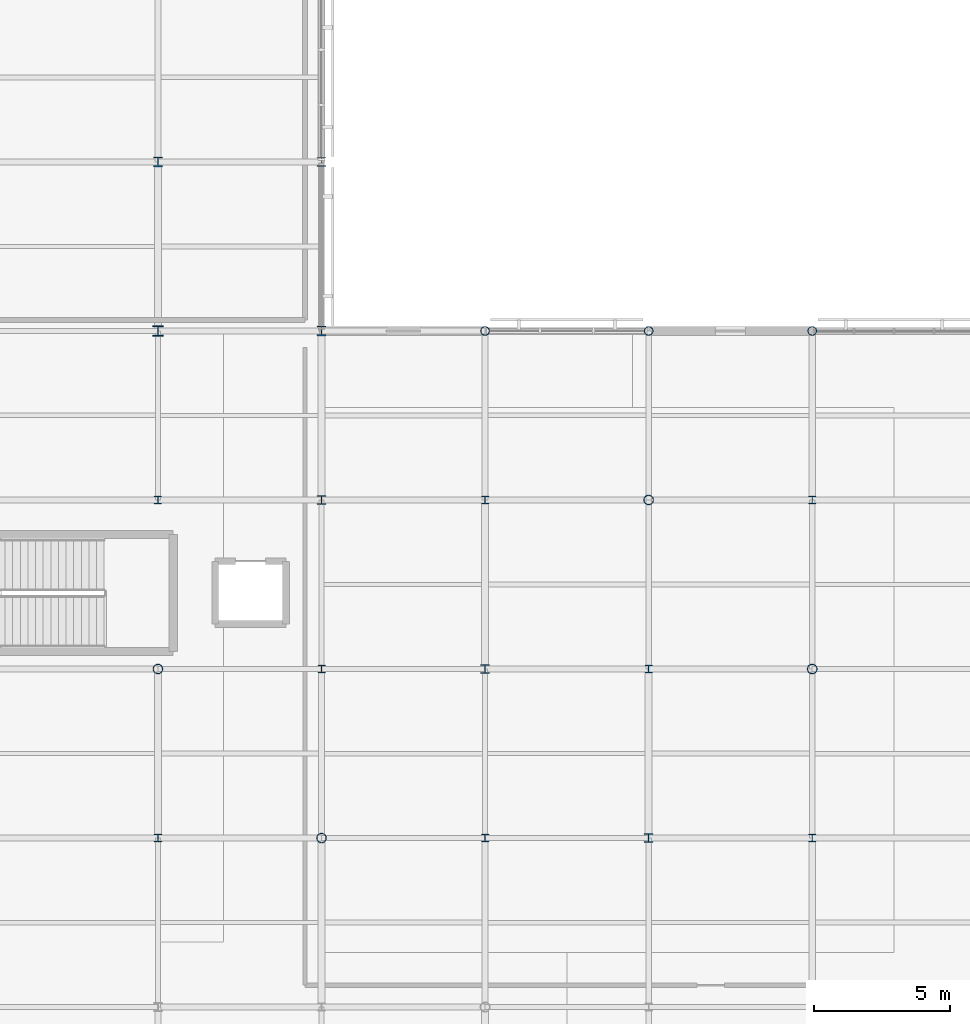
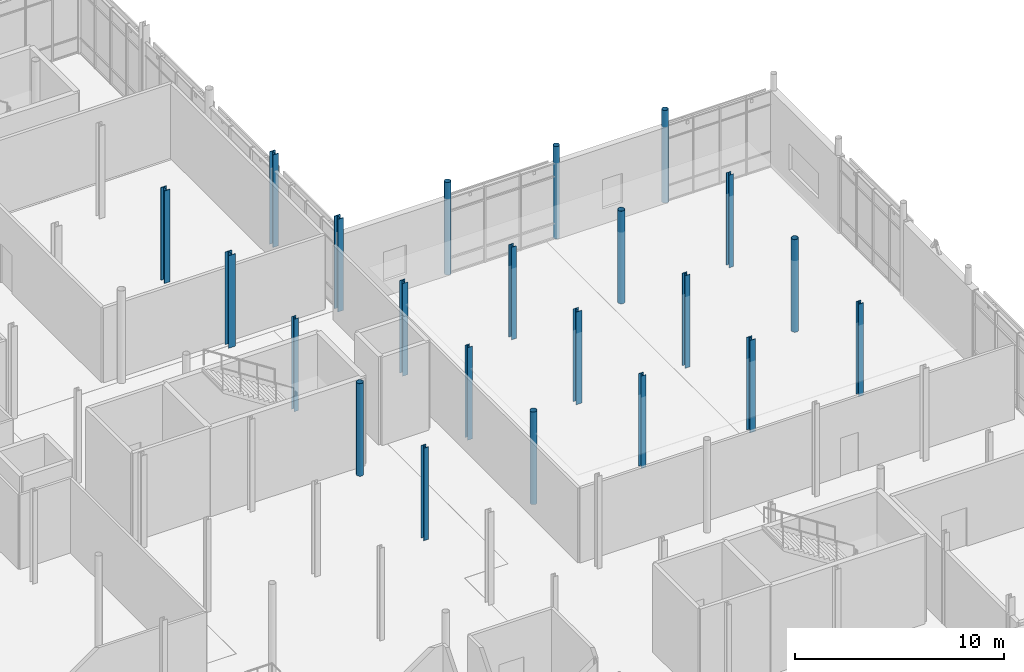
# One storey, part 16 of 105: 22 columns.
"""IFC4 building model written with IfcOpenShell, lengths in metres."""

from ifc_helpers import new_model, si_unit, direction, frame, origin, origin_2d, place, context, subcontext, project, spatial, hollow_circle, i_section, extrude, material, material_profile, profile_set, type_object, element, save


model = new_model("IFC4")

# Units and contexts
model_context = context("Model", 3, precision=1e-05, world=origin(), true_north=direction((0.0, 1.0)))
body_context = subcontext(model_context, "Body", "Model", "MODEL_VIEW")
ifc_project = project(units=[si_unit("LENGTHUNIT", "METRE"), si_unit("AREAUNIT", "SQUARE_METRE"), si_unit("VOLUMEUNIT", "CUBIC_METRE"), si_unit("PLANEANGLEUNIT", "RADIAN"), si_unit("MASSUNIT", "GRAM", prefix="KILO")], contexts=[model_context])

# Site, building, storey
site_placement = place(None, origin())
site = spatial("IfcSite", under=ifc_project, at=site_placement, CompositionType="ELEMENT")
building_placement = place(site_placement, origin())
building = spatial("IfcBuilding", under=site, at=building_placement, Name="Mirzam Square Science Centre", CompositionType="ELEMENT")
storey_placement = place(building_placement, frame((0.0, 0.0, 5.39990234375)))
storey = spatial("IfcBuildingStorey", under=building, at=storey_placement, Name="L01", CompositionType="ELEMENT", Elevation=5.39990234375)

# Columns
ifc_material = material(Name="Steel S355", Category="steel")
ifc_material_profile_1 = material_profile(ifc_material, hollow_circle(Radius=0.161865234375, WallThickness=0.012451171875, at=origin_2d()), Name="323.9x12.5CHS")
ifc_profile_set_1 = profile_set([ifc_material_profile_1], Name="Steel S355")
column_type_1 = type_object("IfcColumnType", Name="COL-CHS324", PredefinedType="COLUMN", material=ifc_profile_set_1)
for number, where, z_axis, x_axis, name in (
    (1, (144.0, 86.800048828125, 0.0), (0.0, 0.0, 1.0), (1.0, 0.0, 0.0), "L01 column G25-15"),
    (2, (150.0, 86.800048828125, 0.0), (0.0, 0.0, 1.0), (1.0, 0.0, 0.0), "L01 column G26-15"),
    (3, (156.0, 86.800048828125, 0.0), (0.0, 0.0, 1.0), (1.0, 0.0, 0.0), "L01 column G27-15"),
):
    element("IfcColumn", number, at=place(storey_placement, frame(where, z_axis=z_axis, x_axis=x_axis)), inside=storey, type_object=column_type_1, Name=name, PredefinedType="COLUMN", context=body_context, shape_type="SweptSolid", body=[
        extrude(hollow_circle(Radius=0.161865234375, WallThickness=0.012451171875, at=origin_2d()), origin(), (0.0, 0.0, 1.0), 5.400146484375),
    ])
ifc_material_profile_2 = material_profile(ifc_material, hollow_circle(Radius=0.177734375, WallThickness=0.012451171875, at=origin_2d()), Name="355.6x12.5CHS")
ifc_profile_set_2 = profile_set([ifc_material_profile_2], Name="Steel S355")
column_type_2 = type_object("IfcColumnType", Name="COL-CHS355", PredefinedType="COLUMN", material=ifc_profile_set_2)
for number, where, z_axis, x_axis, name in (
    (4, (132.0, 74.39990234375, 0.0), (0.0, 0.0, 1.0), (1.0, 0.0, 0.0), "L01 column G23-13"),
    (5, (138.0, 68.199951171875, 0.0), (0.0, 0.0, 1.0), (1.0, 0.0, 0.0), "L01 column G24-12"),
    (6, (150.0, 80.60009765625, 0.0), (0.0, 0.0, 1.0), (1.0, 0.0, 0.0), "L01 column G26-14"),
    (7, (156.0, 74.39990234375, 0.0), (0.0, 0.0, 1.0), (1.0, 0.0, 0.0), "L01 column G27-13"),
):
    element("IfcColumn", number, at=place(storey_placement, frame(where, z_axis=z_axis, x_axis=x_axis)), inside=storey, type_object=column_type_2, Name=name, PredefinedType="COLUMN", context=body_context, shape_type="SweptSolid", body=[
        extrude(hollow_circle(Radius=0.177734375, WallThickness=0.012451171875, at=origin_2d()), origin(), (0.0, 0.0, 1.0), 5.400146484375),
    ])
ifc_material_profile_3 = material_profile(ifc_material, i_section(OverallWidth=0.25634765625, OverallDepth=0.26025390625, WebThickness=0.01025390625, FlangeThickness=0.017333984375, FilletRadius=0.0126953125, at=origin_2d()), Name="254x254x89UC")
ifc_profile_set_3 = profile_set([ifc_material_profile_3], Name="Steel S355")
column_type_3 = type_object("IfcColumnType", Name="COL-UC254A", PredefinedType="COLUMN", material=ifc_profile_set_3)
for number, where, z_axis, x_axis, name in (
    (8, (132.0, 80.60009765625, 0.0), (0.0, 0.0, 1.0), (1.0, 0.0, 0.0), "L01 column G23-14"),
    (9, (138.0, 74.39990234375, 0.0), (0.0, 0.0, 1.0), (1.0, 0.0, 0.0), "L01 column G24-13"),
    (10, (144.0, 68.199951171875, 0.0), (0.0, 0.0, 1.0), (1.0, 0.0, 0.0), "L01 column G25-12"),
    (11, (156.0, 80.60009765625, 0.0), (0.0, 0.0, 1.0), (1.0, 0.0, 0.0), "L01 column G27-14"),
):
    element("IfcColumn", number, at=place(storey_placement, frame(where, z_axis=z_axis, x_axis=x_axis)), inside=storey, type_object=column_type_3, Name=name, PredefinedType="COLUMN", context=body_context, shape_type="SweptSolid", body=[
        extrude(i_section(OverallWidth=0.25634765625, OverallDepth=0.26025390625, WebThickness=0.01025390625, FlangeThickness=0.017333984375, FilletRadius=0.0126953125, at=origin_2d()), origin(), (0.0, 0.0, 1.0), 5.400146484375),
    ])
ifc_material_profile_4 = material_profile(ifc_material, i_section(OverallWidth=0.26123046875, OverallDepth=0.2763671875, WebThickness=0.015380859375, FlangeThickness=0.025390625, FilletRadius=0.0126953125, at=origin_2d()), Name="254x254x132UC")
ifc_profile_set_4 = profile_set([ifc_material_profile_4], Name="Steel S355")
column_type_4 = type_object("IfcColumnType", Name="COL-UC254B", PredefinedType="COLUMN", material=ifc_profile_set_4)
for number, where, z_axis, x_axis, name in (
    (12, (132.0, 68.199951171875, 0.0), (0.0, 0.0, 1.0), (1.0, 0.0, 0.0), "L01 column G23-12"),
    (13, (144.0, 80.60009765625, 0.0), (0.0, 0.0, 1.0), (1.0, 0.0, 0.0), "L01 column G25-14"),
    (14, (150.0, 74.39990234375, 0.0), (0.0, 0.0, 1.0), (1.0, 0.0, 0.0), "L01 column G26-13"),
    (15, (156.0, 68.199951171875, 0.0), (0.0, 0.0, 1.0), (1.0, 0.0, 0.0), "L01 column G27-12"),
):
    element("IfcColumn", number, at=place(storey_placement, frame(where, z_axis=z_axis, x_axis=x_axis)), inside=storey, type_object=column_type_4, Name=name, PredefinedType="COLUMN", context=body_context, shape_type="SweptSolid", body=[
        extrude(i_section(OverallWidth=0.26123046875, OverallDepth=0.2763671875, WebThickness=0.015380859375, FlangeThickness=0.025390625, FilletRadius=0.0126953125, at=origin_2d()), origin(), (0.0, 0.0, 1.0), 5.400146484375),
    ])
ifc_material_profile_5 = material_profile(ifc_material, i_section(OverallWidth=0.30908203125, OverallDepth=0.320556640625, WebThickness=0.013916015625, FlangeThickness=0.021728515625, FilletRadius=0.01513671875, at=origin_2d()), Name="305x305x137UC")
ifc_profile_set_5 = profile_set([ifc_material_profile_5], Name="Steel S355")
column_type_5 = type_object("IfcColumnType", Name="COL-UC305A", PredefinedType="COLUMN", material=ifc_profile_set_5)
for number, where, z_axis, x_axis, name in (
    (16, (138.0, 80.60009765625, 0.0), (0.0, 0.0, 1.0), (1.0, 0.0, 0.0), "L01 column G24-14"),
    (17, (144.0, 74.39990234375, 0.0), (0.0, 0.0, 1.0), (1.0, 0.0, 0.0), "L01 column G25-13"),
    (18, (150.0, 68.199951171875, 0.0), (0.0, 0.0, 1.0), (1.0, 0.0, 0.0), "L01 column G26-12"),
):
    element("IfcColumn", number, at=place(storey_placement, frame(where, z_axis=z_axis, x_axis=x_axis)), inside=storey, type_object=column_type_5, Name=name, PredefinedType="COLUMN", context=body_context, shape_type="SweptSolid", body=[
        extrude(i_section(OverallWidth=0.30908203125, OverallDepth=0.320556640625, WebThickness=0.013916015625, FlangeThickness=0.021728515625, FilletRadius=0.01513671875, at=origin_2d()), origin(), (0.0, 0.0, 1.0), 5.400146484375),
    ])
ifc_material_profile_6 = material_profile(ifc_material, i_section(OverallWidth=0.314453125, OverallDepth=0.33984375, WebThickness=0.01904296875, FlangeThickness=0.031494140625, FilletRadius=0.01513671875, at=origin_2d()), Name="305x305x198UC")
ifc_profile_set_6 = profile_set([ifc_material_profile_6], Name="Steel S355")
column_type_6 = type_object("IfcColumnType", Name="COL-UC305B", PredefinedType="COLUMN", material=ifc_profile_set_6)
column_1_placement = place(storey_placement, frame((138.0, 93.0, 0.0), z_axis=(0.0, 0.0, 1.0), x_axis=(1.0, 0.0, 0.0)))
element("IfcColumn", 19, at=column_1_placement, inside=storey, type_object=column_type_6, Name="L01 column G24-16", PredefinedType="COLUMN", context=body_context, shape_type="SweptSolid", body=[
    extrude(i_section(OverallWidth=0.314453125, OverallDepth=0.33984375, WebThickness=0.01904296875, FlangeThickness=0.031494140625, FilletRadius=0.01513671875, at=origin_2d()), origin(), (0.0, 0.0, 1.0), 5.400146484375),
])
ifc_material_profile_7 = material_profile(ifc_material, i_section(OverallWidth=0.318359375, OverallDepth=0.3525390625, WebThickness=0.02294921875, FlangeThickness=0.03759765625, FilletRadius=0.01513671875, at=origin_2d()), Name="305x305x240UC")
ifc_profile_set_7 = profile_set([ifc_material_profile_7], Name="Steel S355")
column_type_7 = type_object("IfcColumnType", Name="COL-UC305C", PredefinedType="COLUMN", material=ifc_profile_set_7)
for number, where, z_axis, x_axis, name in (
    (20, (132.0, 93.0, 0.0), (0.0, 0.0, 1.0), (1.0, 0.0, 0.0), "L01 column G23-16"),
    (21, (138.0, 86.800048828125, 0.0), (0.0, 0.0, 1.0), (1.0, 0.0, 0.0), "L01 column G24-15"),
):
    element("IfcColumn", number, at=place(storey_placement, frame(where, z_axis=z_axis, x_axis=x_axis)), inside=storey, type_object=column_type_7, Name=name, PredefinedType="COLUMN", context=body_context, shape_type="SweptSolid", body=[
        extrude(i_section(OverallWidth=0.318359375, OverallDepth=0.3525390625, WebThickness=0.02294921875, FlangeThickness=0.03759765625, FilletRadius=0.01513671875, at=origin_2d()), origin(), (0.0, 0.0, 1.0), 5.400146484375),
    ])
ifc_material_profile_8 = material_profile(ifc_material, i_section(OverallWidth=0.374755859375, OverallDepth=0.37451171875, WebThickness=0.0166015625, FlangeThickness=0.027099609375, FilletRadius=0.01513671875, at=origin_2d()), Name="356x368x202UC")
ifc_profile_set_8 = profile_set([ifc_material_profile_8], Name="Steel S355")
column_type_8 = type_object("IfcColumnType", Name="COL-UC356A", PredefinedType="COLUMN", material=ifc_profile_set_8)
column_2_placement = place(storey_placement, frame((132.0, 86.800048828125, 0.0), z_axis=(0.0, 0.0, 1.0), x_axis=(1.0, 0.0, 0.0)))
element("IfcColumn", 22, at=column_2_placement, inside=storey, type_object=column_type_8, Name="L01 column G23-15", PredefinedType="COLUMN", context=body_context, shape_type="SweptSolid", body=[
    extrude(i_section(OverallWidth=0.374755859375, OverallDepth=0.37451171875, WebThickness=0.0166015625, FlangeThickness=0.027099609375, FilletRadius=0.01513671875, at=origin_2d()), origin(), (0.0, 0.0, 1.0), 5.400146484375),
])

save(model, "model.ifc")
